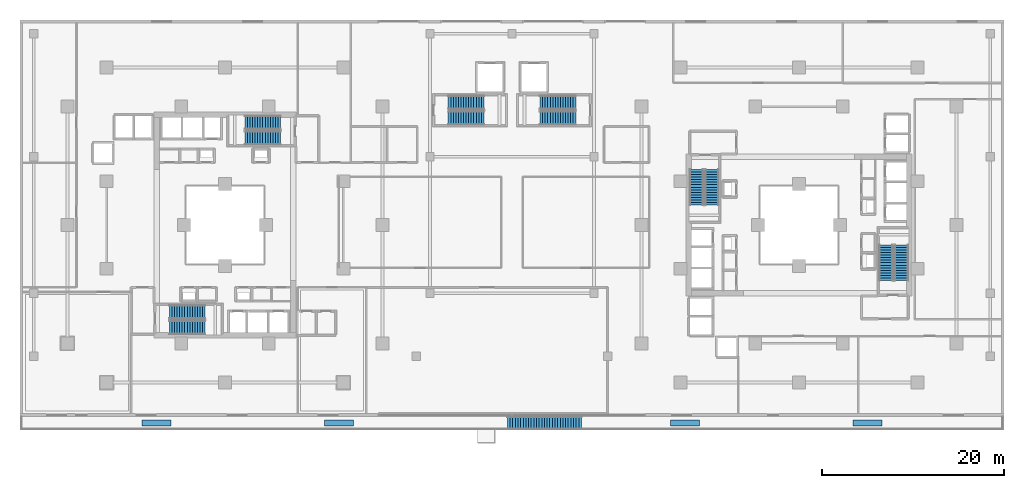
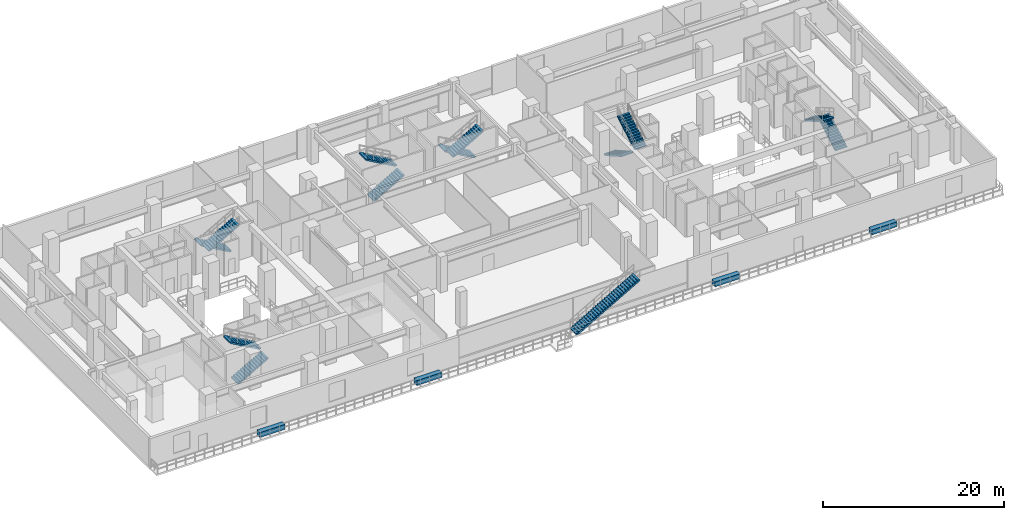
# One storey, part 17 of 22: 13 stair flights, 4 discrete accessories, 7 elements without a shape of their own.
"""IFC4 building model written with IfcOpenShell, lengths in metres."""

from ifc_helpers import new_model, si_unit, direction, frame, origin, origin_2d, place, context, subcontext, project, spatial, polyline, rectangle, outline, extrude, material, type_object, element, aggregate, save


model = new_model("IFC4")

# Units and contexts
model_context = context("Model", 3, precision=1e-05, world=origin(), true_north=direction((0.0, 1.0)))
body_context = subcontext(model_context, "Body", "Model", "MODEL_VIEW")
ifc_project = project(units=[si_unit("LENGTHUNIT", "METRE"), si_unit("AREAUNIT", "SQUARE_METRE"), si_unit("VOLUMEUNIT", "CUBIC_METRE"), si_unit("PLANEANGLEUNIT", "RADIAN"), si_unit("MASSUNIT", "GRAM", prefix="KILO")], contexts=[model_context])

# Site, building, storey
site_placement = place(None, origin())
site = spatial("IfcSite", under=ifc_project, at=site_placement, CompositionType="ELEMENT")
building_placement = place(site_placement, origin())
building = spatial("IfcBuilding", under=site, at=building_placement, Name="Thornwick Lancets Civic Towers", CompositionType="ELEMENT")
storey_placement = place(building_placement, frame((0.0, 0.0, 4.800048828125)))
storey = spatial("IfcBuildingStorey", under=building, at=storey_placement, Name="L01", CompositionType="ELEMENT", Elevation=4.800048828125)

# Stair, stair flights
ifc_material_1 = material(Name="Concrete C40/50", Category="concrete")
stair_type_1 = type_object("IfcStairType", Name="STAIR_DL_4800", PredefinedType="HALF_TURN_STAIR", material=ifc_material_1)
stair_1_placement = place(storey_placement, origin())
stair_1 = element("IfcStair", 1, at=stair_1_placement, inside=storey, type_object=stair_type_1, Name="L01 Tower A South Exit Stair ST-A1", PredefinedType="HALF_TURN_STAIR")
stair_flight_type_1 = type_object("IfcStairFlightType", Name="FLIGHT_4800", PredefinedType="STRAIGHT", material=ifc_material_1)
stair_flight_1_placement = place(storey_placement, frame((19.39990234375, 15.75, 0.0), z_axis=(0.0, 0.0, 1.0), x_axis=(1.0, 0.0, 0.0)))
stair_flight_1 = element("IfcStairFlight", 2, at=stair_flight_1_placement, type_object=stair_flight_type_1, Name="ST-A1 flight 1", NumberOfRisers=15, NumberOfTreads=14, PredefinedType="STRAIGHT", RiserHeight=0.16, TreadLength=0.28, context=body_context, shape_type="SweptSolid", body=[
    extrude(outline(polyline([(0.0, 0.0), (0.0, 0.159912109375), (0.280029296875, 0.159912109375), (0.280029296875, 0.320068359375), (0.56005859375, 0.320068359375), (0.56005859375, 0.47998046875), (0.840087890625, 0.47998046875), (0.840087890625, 0.639892578125), (1.1201171875, 0.639892578125), (1.1201171875, 0.800048828125), (1.39990234375, 0.800048828125), (1.39990234375, 0.9599609375), (1.679931640625, 0.9599609375), (1.679931640625, 1.1201171875), (1.9599609375, 1.1201171875), (1.9599609375, 1.280029296875), (2.239990234375, 1.280029296875), (2.239990234375, 1.43994140625), (2.52001953125, 1.43994140625), (2.52001953125, 1.60009765625), (2.800048828125, 1.60009765625), (2.800048828125, 1.760009765625), (3.080078125, 1.760009765625), (3.080078125, 1.919921875), (3.360107421875, 1.919921875), (3.360107421875, 2.080078125), (3.639892578125, 2.080078125), (3.639892578125, 2.239990234375), (3.919921875, 2.239990234375), (3.919921875, 2.39990234375), (3.919921875, 2.0673828125), (0.30224609375, 0.0), (0.0, 0.0)])), frame((0.0, 0.75, 0.0), z_axis=(0.0, -1.0, 0.0), x_axis=(1.0, 0.0, 0.0)), (0.0, 0.0, 1.0), 1.5),
])
stair_flight_2_placement = place(storey_placement, frame((23.320068359375, 17.449951171875, 2.39990234375), z_axis=(0.0, 0.0, 1.0), x_axis=(-1.0, 0.0, 0.0)))
stair_flight_2 = element("IfcStairFlight", 3, at=stair_flight_2_placement, type_object=stair_flight_type_1, Name="ST-A1 flight 2", NumberOfRisers=15, NumberOfTreads=14, PredefinedType="STRAIGHT", RiserHeight=0.16, TreadLength=0.28, context=body_context, shape_type="SweptSolid", body=[
    extrude(outline(polyline([(0.0, 0.0), (0.0, 0.159912109375), (0.280029296875, 0.159912109375), (0.280029296875, 0.320068359375), (0.56005859375, 0.320068359375), (0.56005859375, 0.47998046875), (0.840087890625, 0.47998046875), (0.840087890625, 0.639892578125), (1.1201171875, 0.639892578125), (1.1201171875, 0.800048828125), (1.39990234375, 0.800048828125), (1.39990234375, 0.9599609375), (1.679931640625, 0.9599609375), (1.679931640625, 1.1201171875), (1.9599609375, 1.1201171875), (1.9599609375, 1.280029296875), (2.239990234375, 1.280029296875), (2.239990234375, 1.43994140625), (2.52001953125, 1.43994140625), (2.52001953125, 1.60009765625), (2.800048828125, 1.60009765625), (2.800048828125, 1.760009765625), (3.080078125, 1.760009765625), (3.080078125, 1.919921875), (3.360107421875, 1.919921875), (3.360107421875, 2.080078125), (3.639892578125, 2.080078125), (3.639892578125, 2.239990234375), (3.919921875, 2.239990234375), (3.919921875, 2.39990234375), (3.919921875, 2.0673828125), (0.30224609375, 0.0), (0.0, 0.0)])), frame((0.0, 0.75, 0.0), z_axis=(0.0, -1.0, 0.0), x_axis=(1.0, 0.0, 0.0)), (0.0, 0.0, 1.0), 1.5),
])
aggregate(stair_1, [stair_flight_1, stair_flight_2])

stair_2_placement = place(storey_placement, origin())
stair_2 = element("IfcStair", 4, at=stair_2_placement, inside=storey, type_object=stair_type_1, Name="L01 Tower A North Exit Stair ST-A2", PredefinedType="HALF_TURN_STAIR")
stair_flight_3_placement = place(storey_placement, frame((31.60009765625, 38.25, 0.0), z_axis=(0.0, 0.0, 1.0), x_axis=(-1.0, 0.0, 0.0)))
stair_flight_3 = element("IfcStairFlight", 5, at=stair_flight_3_placement, type_object=stair_flight_type_1, Name="ST-A2 flight 1", NumberOfRisers=15, NumberOfTreads=14, PredefinedType="STRAIGHT", RiserHeight=0.16, TreadLength=0.28, context=body_context, shape_type="SweptSolid", body=[
    extrude(outline(polyline([(0.0, 0.0), (0.0, 0.159912109375), (0.280029296875, 0.159912109375), (0.280029296875, 0.320068359375), (0.56005859375, 0.320068359375), (0.56005859375, 0.47998046875), (0.840087890625, 0.47998046875), (0.840087890625, 0.639892578125), (1.1201171875, 0.639892578125), (1.1201171875, 0.800048828125), (1.39990234375, 0.800048828125), (1.39990234375, 0.9599609375), (1.679931640625, 0.9599609375), (1.679931640625, 1.1201171875), (1.9599609375, 1.1201171875), (1.9599609375, 1.280029296875), (2.239990234375, 1.280029296875), (2.239990234375, 1.43994140625), (2.52001953125, 1.43994140625), (2.52001953125, 1.60009765625), (2.800048828125, 1.60009765625), (2.800048828125, 1.760009765625), (3.080078125, 1.760009765625), (3.080078125, 1.919921875), (3.360107421875, 1.919921875), (3.360107421875, 2.080078125), (3.639892578125, 2.080078125), (3.639892578125, 2.239990234375), (3.919921875, 2.239990234375), (3.919921875, 2.39990234375), (3.919921875, 2.0673828125), (0.30224609375, 0.0), (0.0, 0.0)])), frame((0.0, 0.75, 0.0), z_axis=(0.0, -1.0, 0.0), x_axis=(1.0, 0.0, 0.0)), (0.0, 0.0, 1.0), 1.5),
])
stair_flight_4_placement = place(storey_placement, frame((27.679931640625, 36.550048828125, 2.39990234375), z_axis=(0.0, 0.0, 1.0), x_axis=(1.0, 0.0, 0.0)))
stair_flight_4 = element("IfcStairFlight", 6, at=stair_flight_4_placement, type_object=stair_flight_type_1, Name="ST-A2 flight 2", NumberOfRisers=15, NumberOfTreads=14, PredefinedType="STRAIGHT", RiserHeight=0.16, TreadLength=0.28, context=body_context, shape_type="SweptSolid", body=[
    extrude(outline(polyline([(0.0, 0.0), (0.0, 0.159912109375), (0.280029296875, 0.159912109375), (0.280029296875, 0.320068359375), (0.56005859375, 0.320068359375), (0.56005859375, 0.47998046875), (0.840087890625, 0.47998046875), (0.840087890625, 0.639892578125), (1.1201171875, 0.639892578125), (1.1201171875, 0.800048828125), (1.39990234375, 0.800048828125), (1.39990234375, 0.9599609375), (1.679931640625, 0.9599609375), (1.679931640625, 1.1201171875), (1.9599609375, 1.1201171875), (1.9599609375, 1.280029296875), (2.239990234375, 1.280029296875), (2.239990234375, 1.43994140625), (2.52001953125, 1.43994140625), (2.52001953125, 1.60009765625), (2.800048828125, 1.60009765625), (2.800048828125, 1.760009765625), (3.080078125, 1.760009765625), (3.080078125, 1.919921875), (3.360107421875, 1.919921875), (3.360107421875, 2.080078125), (3.639892578125, 2.080078125), (3.639892578125, 2.239990234375), (3.919921875, 2.239990234375), (3.919921875, 2.39990234375), (3.919921875, 2.0673828125), (0.30224609375, 0.0), (0.0, 0.0)])), frame((0.0, 0.75, 0.0), z_axis=(0.0, -1.0, 0.0), x_axis=(1.0, 0.0, 0.0)), (0.0, 0.0, 1.0), 1.5),
])
aggregate(stair_2, [stair_flight_3, stair_flight_4])

stair_3_placement = place(storey_placement, origin())
stair_3 = element("IfcStair", 7, at=stair_3_placement, inside=storey, type_object=stair_type_1, Name="L01 Tower B East Exit Stair ST-B1", PredefinedType="HALF_TURN_STAIR")
stair_flight_5_placement = place(storey_placement, frame((99.75, 20.89990234375, 0.0), z_axis=(0.0, 0.0, 1.0), x_axis=(0.0, 1.0, 0.0)))
stair_flight_5 = element("IfcStairFlight", 8, at=stair_flight_5_placement, type_object=stair_flight_type_1, Name="ST-B1 flight 1", NumberOfRisers=15, NumberOfTreads=14, PredefinedType="STRAIGHT", RiserHeight=0.16, TreadLength=0.28, context=body_context, shape_type="SweptSolid", body=[
    extrude(outline(polyline([(0.0, 0.0), (0.0, 0.159912109375), (0.280029296875, 0.159912109375), (0.280029296875, 0.320068359375), (0.56005859375, 0.320068359375), (0.56005859375, 0.47998046875), (0.840087890625, 0.47998046875), (0.840087890625, 0.639892578125), (1.1201171875, 0.639892578125), (1.1201171875, 0.800048828125), (1.39990234375, 0.800048828125), (1.39990234375, 0.9599609375), (1.679931640625, 0.9599609375), (1.679931640625, 1.1201171875), (1.9599609375, 1.1201171875), (1.9599609375, 1.280029296875), (2.239990234375, 1.280029296875), (2.239990234375, 1.43994140625), (2.52001953125, 1.43994140625), (2.52001953125, 1.60009765625), (2.800048828125, 1.60009765625), (2.800048828125, 1.760009765625), (3.080078125, 1.760009765625), (3.080078125, 1.919921875), (3.360107421875, 1.919921875), (3.360107421875, 2.080078125), (3.639892578125, 2.080078125), (3.639892578125, 2.239990234375), (3.919921875, 2.239990234375), (3.919921875, 2.39990234375), (3.919921875, 2.0673828125), (0.30224609375, 0.0), (0.0, 0.0)])), frame((0.0, 0.75, 0.0), z_axis=(0.0, -1.0, 0.0), x_axis=(1.0, 0.0, 0.0)), (0.0, 0.0, 1.0), 1.5),
])
stair_flight_6_placement = place(storey_placement, frame((98.050048828125, 24.820068359375, 2.39990234375), z_axis=(0.0, 0.0, 1.0), x_axis=(0.0, -1.0, 0.0)))
stair_flight_6 = element("IfcStairFlight", 9, at=stair_flight_6_placement, type_object=stair_flight_type_1, Name="ST-B1 flight 2", NumberOfRisers=15, NumberOfTreads=14, PredefinedType="STRAIGHT", RiserHeight=0.16, TreadLength=0.28, context=body_context, shape_type="SweptSolid", body=[
    extrude(outline(polyline([(0.0, 0.0), (0.0, 0.159912109375), (0.280029296875, 0.159912109375), (0.280029296875, 0.320068359375), (0.56005859375, 0.320068359375), (0.56005859375, 0.47998046875), (0.840087890625, 0.47998046875), (0.840087890625, 0.639892578125), (1.1201171875, 0.639892578125), (1.1201171875, 0.800048828125), (1.39990234375, 0.800048828125), (1.39990234375, 0.9599609375), (1.679931640625, 0.9599609375), (1.679931640625, 1.1201171875), (1.9599609375, 1.1201171875), (1.9599609375, 1.280029296875), (2.239990234375, 1.280029296875), (2.239990234375, 1.43994140625), (2.52001953125, 1.43994140625), (2.52001953125, 1.60009765625), (2.800048828125, 1.60009765625), (2.800048828125, 1.760009765625), (3.080078125, 1.760009765625), (3.080078125, 1.919921875), (3.360107421875, 1.919921875), (3.360107421875, 2.080078125), (3.639892578125, 2.080078125), (3.639892578125, 2.239990234375), (3.919921875, 2.239990234375), (3.919921875, 2.39990234375), (3.919921875, 2.0673828125), (0.30224609375, 0.0), (0.0, 0.0)])), frame((0.0, 0.75, 0.0), z_axis=(0.0, -1.0, 0.0), x_axis=(1.0, 0.0, 0.0)), (0.0, 0.0, 1.0), 1.5),
])
aggregate(stair_3, [stair_flight_5, stair_flight_6])

stair_4_placement = place(storey_placement, origin())
stair_4 = element("IfcStair", 10, at=stair_4_placement, inside=storey, type_object=stair_type_1, Name="L01 Tower B West Exit Stair ST-B2", PredefinedType="HALF_TURN_STAIR")
stair_flight_7_placement = place(storey_placement, frame((77.25, 33.10009765625, 0.0), z_axis=(0.0, 0.0, 1.0), x_axis=(0.0, -1.0, 0.0)))
stair_flight_7 = element("IfcStairFlight", 11, at=stair_flight_7_placement, type_object=stair_flight_type_1, Name="ST-B2 flight 1", NumberOfRisers=15, NumberOfTreads=14, PredefinedType="STRAIGHT", RiserHeight=0.16, TreadLength=0.28, context=body_context, shape_type="SweptSolid", body=[
    extrude(outline(polyline([(0.0, 0.0), (0.0, 0.159912109375), (0.280029296875, 0.159912109375), (0.280029296875, 0.320068359375), (0.56005859375, 0.320068359375), (0.56005859375, 0.47998046875), (0.840087890625, 0.47998046875), (0.840087890625, 0.639892578125), (1.1201171875, 0.639892578125), (1.1201171875, 0.800048828125), (1.39990234375, 0.800048828125), (1.39990234375, 0.9599609375), (1.679931640625, 0.9599609375), (1.679931640625, 1.1201171875), (1.9599609375, 1.1201171875), (1.9599609375, 1.280029296875), (2.239990234375, 1.280029296875), (2.239990234375, 1.43994140625), (2.52001953125, 1.43994140625), (2.52001953125, 1.60009765625), (2.800048828125, 1.60009765625), (2.800048828125, 1.760009765625), (3.080078125, 1.760009765625), (3.080078125, 1.919921875), (3.360107421875, 1.919921875), (3.360107421875, 2.080078125), (3.639892578125, 2.080078125), (3.639892578125, 2.239990234375), (3.919921875, 2.239990234375), (3.919921875, 2.39990234375), (3.919921875, 2.0673828125), (0.30224609375, 0.0), (0.0, 0.0)])), frame((0.0, 0.75, 0.0), z_axis=(0.0, -1.0, 0.0), x_axis=(1.0, 0.0, 0.0)), (0.0, 0.0, 1.0), 1.5),
])
stair_flight_8_placement = place(storey_placement, frame((78.949951171875, 29.179931640625, 2.39990234375), z_axis=(0.0, 0.0, 1.0), x_axis=(0.0, 1.0, 0.0)))
stair_flight_8 = element("IfcStairFlight", 12, at=stair_flight_8_placement, type_object=stair_flight_type_1, Name="ST-B2 flight 2", NumberOfRisers=15, NumberOfTreads=14, PredefinedType="STRAIGHT", RiserHeight=0.16, TreadLength=0.28, context=body_context, shape_type="SweptSolid", body=[
    extrude(outline(polyline([(0.0, 0.0), (0.0, 0.159912109375), (0.280029296875, 0.159912109375), (0.280029296875, 0.320068359375), (0.56005859375, 0.320068359375), (0.56005859375, 0.47998046875), (0.840087890625, 0.47998046875), (0.840087890625, 0.639892578125), (1.1201171875, 0.639892578125), (1.1201171875, 0.800048828125), (1.39990234375, 0.800048828125), (1.39990234375, 0.9599609375), (1.679931640625, 0.9599609375), (1.679931640625, 1.1201171875), (1.9599609375, 1.1201171875), (1.9599609375, 1.280029296875), (2.239990234375, 1.280029296875), (2.239990234375, 1.43994140625), (2.52001953125, 1.43994140625), (2.52001953125, 1.60009765625), (2.800048828125, 1.60009765625), (2.800048828125, 1.760009765625), (3.080078125, 1.760009765625), (3.080078125, 1.919921875), (3.360107421875, 1.919921875), (3.360107421875, 2.080078125), (3.639892578125, 2.080078125), (3.639892578125, 2.239990234375), (3.919921875, 2.239990234375), (3.919921875, 2.39990234375), (3.919921875, 2.0673828125), (0.30224609375, 0.0), (0.0, 0.0)])), frame((0.0, 0.75, 0.0), z_axis=(0.0, -1.0, 0.0), x_axis=(1.0, 0.0, 0.0)), (0.0, 0.0, 1.0), 1.5),
])
aggregate(stair_4, [stair_flight_7, stair_flight_8])

stair_5_placement = place(storey_placement, origin())
stair_5 = element("IfcStair", 13, at=stair_5_placement, inside=storey, type_object=stair_type_1, Name="L01 Podium Central West Exit Stair ST-P5", PredefinedType="HALF_TURN_STAIR")
stair_flight_9_placement = place(storey_placement, frame((50.0, 38.75, 0.0), z_axis=(0.0, 0.0, 1.0), x_axis=(1.0, 0.0, 0.0)))
stair_flight_9 = element("IfcStairFlight", 14, at=stair_flight_9_placement, type_object=stair_flight_type_1, Name="ST-P5 flight 1", NumberOfRisers=15, NumberOfTreads=14, PredefinedType="STRAIGHT", RiserHeight=0.16, TreadLength=0.28, context=body_context, shape_type="SweptSolid", body=[
    extrude(outline(polyline([(0.0, 0.0), (0.0, 0.159912109375), (0.280029296875, 0.159912109375), (0.280029296875, 0.320068359375), (0.56005859375, 0.320068359375), (0.56005859375, 0.47998046875), (0.840087890625, 0.47998046875), (0.840087890625, 0.639892578125), (1.1201171875, 0.639892578125), (1.1201171875, 0.800048828125), (1.39990234375, 0.800048828125), (1.39990234375, 0.9599609375), (1.679931640625, 0.9599609375), (1.679931640625, 1.1201171875), (1.9599609375, 1.1201171875), (1.9599609375, 1.280029296875), (2.239990234375, 1.280029296875), (2.239990234375, 1.43994140625), (2.52001953125, 1.43994140625), (2.52001953125, 1.60009765625), (2.800048828125, 1.60009765625), (2.800048828125, 1.760009765625), (3.080078125, 1.760009765625), (3.080078125, 1.919921875), (3.360107421875, 1.919921875), (3.360107421875, 2.080078125), (3.639892578125, 2.080078125), (3.639892578125, 2.239990234375), (3.919921875, 2.239990234375), (3.919921875, 2.39990234375), (3.919921875, 2.0673828125), (0.30224609375, 0.0), (0.0, 0.0)])), frame((0.0, 0.75, 0.0), z_axis=(0.0, -1.0, 0.0), x_axis=(1.0, 0.0, 0.0)), (0.0, 0.0, 1.0), 1.5),
])
stair_flight_10_placement = place(storey_placement, frame((53.919921875, 40.449951171875, 2.39990234375), z_axis=(0.0, 0.0, 1.0), x_axis=(-1.0, 0.0, 0.0)))
stair_flight_10 = element("IfcStairFlight", 15, at=stair_flight_10_placement, type_object=stair_flight_type_1, Name="ST-P5 flight 2", NumberOfRisers=15, NumberOfTreads=14, PredefinedType="STRAIGHT", RiserHeight=0.16, TreadLength=0.28, context=body_context, shape_type="SweptSolid", body=[
    extrude(outline(polyline([(0.0, 0.0), (0.0, 0.159912109375), (0.280029296875, 0.159912109375), (0.280029296875, 0.320068359375), (0.56005859375, 0.320068359375), (0.56005859375, 0.47998046875), (0.840087890625, 0.47998046875), (0.840087890625, 0.639892578125), (1.1201171875, 0.639892578125), (1.1201171875, 0.800048828125), (1.39990234375, 0.800048828125), (1.39990234375, 0.9599609375), (1.679931640625, 0.9599609375), (1.679931640625, 1.1201171875), (1.9599609375, 1.1201171875), (1.9599609375, 1.280029296875), (2.239990234375, 1.280029296875), (2.239990234375, 1.43994140625), (2.52001953125, 1.43994140625), (2.52001953125, 1.60009765625), (2.800048828125, 1.60009765625), (2.800048828125, 1.760009765625), (3.080078125, 1.760009765625), (3.080078125, 1.919921875), (3.360107421875, 1.919921875), (3.360107421875, 2.080078125), (3.639892578125, 2.080078125), (3.639892578125, 2.239990234375), (3.919921875, 2.239990234375), (3.919921875, 2.39990234375), (3.919921875, 2.0673828125), (0.30224609375, 0.0), (0.0, 0.0)])), frame((0.0, 0.75, 0.0), z_axis=(0.0, -1.0, 0.0), x_axis=(1.0, 0.0, 0.0)), (0.0, 0.0, 1.0), 1.5),
])
aggregate(stair_5, [stair_flight_9, stair_flight_10])

stair_6_placement = place(storey_placement, origin())
stair_6 = element("IfcStair", 16, at=stair_6_placement, inside=storey, type_object=stair_type_1, Name="L01 Podium Central East Exit Stair ST-P6", PredefinedType="HALF_TURN_STAIR")
stair_flight_11_placement = place(storey_placement, frame((64.0, 40.449951171875, 0.0), z_axis=(0.0, 0.0, 1.0), x_axis=(-1.0, 0.0, 0.0)))
stair_flight_11 = element("IfcStairFlight", 17, at=stair_flight_11_placement, type_object=stair_flight_type_1, Name="ST-P6 flight 1", NumberOfRisers=15, NumberOfTreads=14, PredefinedType="STRAIGHT", RiserHeight=0.16, TreadLength=0.28, context=body_context, shape_type="SweptSolid", body=[
    extrude(outline(polyline([(0.0, 0.0), (0.0, 0.159912109375), (0.280029296875, 0.159912109375), (0.280029296875, 0.320068359375), (0.56005859375, 0.320068359375), (0.56005859375, 0.47998046875), (0.840087890625, 0.47998046875), (0.840087890625, 0.639892578125), (1.1201171875, 0.639892578125), (1.1201171875, 0.800048828125), (1.39990234375, 0.800048828125), (1.39990234375, 0.9599609375), (1.679931640625, 0.9599609375), (1.679931640625, 1.1201171875), (1.9599609375, 1.1201171875), (1.9599609375, 1.280029296875), (2.239990234375, 1.280029296875), (2.239990234375, 1.43994140625), (2.52001953125, 1.43994140625), (2.52001953125, 1.60009765625), (2.800048828125, 1.60009765625), (2.800048828125, 1.760009765625), (3.080078125, 1.760009765625), (3.080078125, 1.919921875), (3.360107421875, 1.919921875), (3.360107421875, 2.080078125), (3.639892578125, 2.080078125), (3.639892578125, 2.239990234375), (3.919921875, 2.239990234375), (3.919921875, 2.39990234375), (3.919921875, 2.0673828125), (0.30224609375, 0.0), (0.0, 0.0)])), frame((0.0, 0.75, 0.0), z_axis=(0.0, -1.0, 0.0), x_axis=(1.0, 0.0, 0.0)), (0.0, 0.0, 1.0), 1.5),
])
stair_flight_12_placement = place(storey_placement, frame((60.080078125, 38.75, 2.39990234375), z_axis=(0.0, 0.0, 1.0), x_axis=(1.0, 0.0, 0.0)))
stair_flight_12 = element("IfcStairFlight", 18, at=stair_flight_12_placement, type_object=stair_flight_type_1, Name="ST-P6 flight 2", NumberOfRisers=15, NumberOfTreads=14, PredefinedType="STRAIGHT", RiserHeight=0.16, TreadLength=0.28, context=body_context, shape_type="SweptSolid", body=[
    extrude(outline(polyline([(0.0, 0.0), (0.0, 0.159912109375), (0.280029296875, 0.159912109375), (0.280029296875, 0.320068359375), (0.56005859375, 0.320068359375), (0.56005859375, 0.47998046875), (0.840087890625, 0.47998046875), (0.840087890625, 0.639892578125), (1.1201171875, 0.639892578125), (1.1201171875, 0.800048828125), (1.39990234375, 0.800048828125), (1.39990234375, 0.9599609375), (1.679931640625, 0.9599609375), (1.679931640625, 1.1201171875), (1.9599609375, 1.1201171875), (1.9599609375, 1.280029296875), (2.239990234375, 1.280029296875), (2.239990234375, 1.43994140625), (2.52001953125, 1.43994140625), (2.52001953125, 1.60009765625), (2.800048828125, 1.60009765625), (2.800048828125, 1.760009765625), (3.080078125, 1.760009765625), (3.080078125, 1.919921875), (3.360107421875, 1.919921875), (3.360107421875, 2.080078125), (3.639892578125, 2.080078125), (3.639892578125, 2.239990234375), (3.919921875, 2.239990234375), (3.919921875, 2.39990234375), (3.919921875, 2.0673828125), (0.30224609375, 0.0), (0.0, 0.0)])), frame((0.0, 0.75, 0.0), z_axis=(0.0, -1.0, 0.0), x_axis=(1.0, 0.0, 0.0)), (0.0, 0.0, 1.0), 1.5),
])
aggregate(stair_6, [stair_flight_11, stair_flight_12])

# Stair, stair flight
ifc_material_2 = material(Name="Granite-faced concrete C40/50", Category="masonry")
stair_type_2 = type_object("IfcStairType", Name="STAIR_CASCADE", PredefinedType="STRAIGHT_RUN_STAIR", material=ifc_material_2)
stair_7_placement = place(storey_placement, origin())
stair_7 = element("IfcStair", 19, at=stair_7_placement, inside=storey, type_object=stair_type_2, Name="L01 Cascading Garden Stair 2", PredefinedType="STRAIGHT_RUN_STAIR")
stair_flight_type_2 = type_object("IfcStairFlightType", Name="FLIGHT_CASCADE", PredefinedType="STRAIGHT", material=ifc_material_2)
stair_flight_13_placement = place(storey_placement, frame((56.5, 5.260009765625, 0.0), z_axis=(0.0, 0.0, 1.0), x_axis=(1.0, 0.0, 0.0)))
stair_flight_13 = element("IfcStairFlight", 20, at=stair_flight_13_placement, type_object=stair_flight_type_2, Name="STC-2 flight 1", NumberOfRisers=29, NumberOfTreads=28, PredefinedType="STRAIGHT", RiserHeight=0.165517, TreadLength=0.29, context=body_context, shape_type="SweptSolid", body=[
    extrude(outline(polyline([(0.0, 0.0), (0.0, 0.16552734375), (0.2900390625, 0.16552734375), (0.2900390625, 0.3310546875), (0.580078125, 0.3310546875), (0.580078125, 0.49658203125), (0.8701171875, 0.49658203125), (0.8701171875, 0.662109375), (1.159912109375, 0.662109375), (1.159912109375, 0.82763671875), (1.449951171875, 0.82763671875), (1.449951171875, 0.9931640625), (1.739990234375, 0.9931640625), (1.739990234375, 1.15869140625), (2.030029296875, 1.15869140625), (2.030029296875, 1.32421875), (2.320068359375, 1.32421875), (2.320068359375, 1.48974609375), (2.610107421875, 1.48974609375), (2.610107421875, 1.6552734375), (2.89990234375, 1.6552734375), (2.89990234375, 1.82080078125), (3.18994140625, 1.82080078125), (3.18994140625, 1.986083984375), (3.47998046875, 1.986083984375), (3.47998046875, 2.151611328125), (3.77001953125, 2.151611328125), (3.77001953125, 2.317138671875), (4.06005859375, 2.317138671875), (4.06005859375, 2.482666015625), (4.35009765625, 2.482666015625), (4.35009765625, 2.648193359375), (4.639892578125, 2.648193359375), (4.639892578125, 2.813720703125), (4.929931640625, 2.813720703125), (4.929931640625, 2.979248046875), (5.219970703125, 2.979248046875), (5.219970703125, 3.144775390625), (5.510009765625, 3.144775390625), (5.510009765625, 3.310302734375), (5.800048828125, 3.310302734375), (5.800048828125, 3.475830078125), (6.090087890625, 3.475830078125), (6.090087890625, 3.641357421875), (6.3798828125, 3.641357421875), (6.3798828125, 3.806884765625), (6.669921875, 3.806884765625), (6.669921875, 3.972412109375), (6.9599609375, 3.972412109375), (6.9599609375, 4.137939453125), (7.25, 4.137939453125), (7.25, 4.303466796875), (7.5400390625, 4.303466796875), (7.5400390625, 4.468994140625), (7.830078125, 4.468994140625), (7.830078125, 4.634521484375), (8.1201171875, 4.634521484375), (8.1201171875, 4.800048828125), (8.1201171875, 4.42724609375), (0.363037109375, 0.0), (0.0, 0.0)])), frame((0.0, 0.68994140625, 0.0), z_axis=(0.0, -1.0, 0.0), x_axis=(1.0, 0.0, 0.0)), (0.0, 0.0, 1.0), 1.3798828125),
])
aggregate(stair_7, [stair_flight_13])

# Discrete accessories
ifc_material_3 = material(Name="Planted terracotta greenery planter", Category="masonry")
discrete_accessory_type = type_object("IfcDiscreteAccessoryType", Name="ACC_PLANTER_BOX", PredefinedType="USERDEFINED", material=ifc_material_3)
for number, where, z_axis, x_axis, name in (
    (21, (18.0, 5.25, 0.0), (0.0, 0.0, 1.0), (1.0, 0.0, 0.0), "L01 Cascading Terrace Planter 18"),
    (22, (38.0, 5.25, 0.0), (0.0, 0.0, 1.0), (1.0, 0.0, 0.0), "L01 Cascading Terrace Planter 38"),
    (23, (76.0, 5.25, 0.0), (0.0, 0.0, 1.0), (1.0, 0.0, 0.0), "L01 Cascading Terrace Planter 76"),
    (24, (96.0, 5.25, 0.0), (0.0, 0.0, 1.0), (1.0, 0.0, 0.0), "L01 Cascading Terrace Planter 96"),
):
    element("IfcDiscreteAccessory", number, at=place(storey_placement, frame(where, z_axis=z_axis, x_axis=x_axis)), inside=storey, type_object=discrete_accessory_type, Name=name, ObjectType="PLANTER", PredefinedType="USERDEFINED", context=body_context, shape_type="SweptSolid", body=[
        extrude(rectangle(XDim=3.199951171875, YDim=0.64990234375, at=origin_2d()), origin(), (0.0, 0.0, 1.0), 0.64990234375),
    ])

save(model, "model.ifc")
